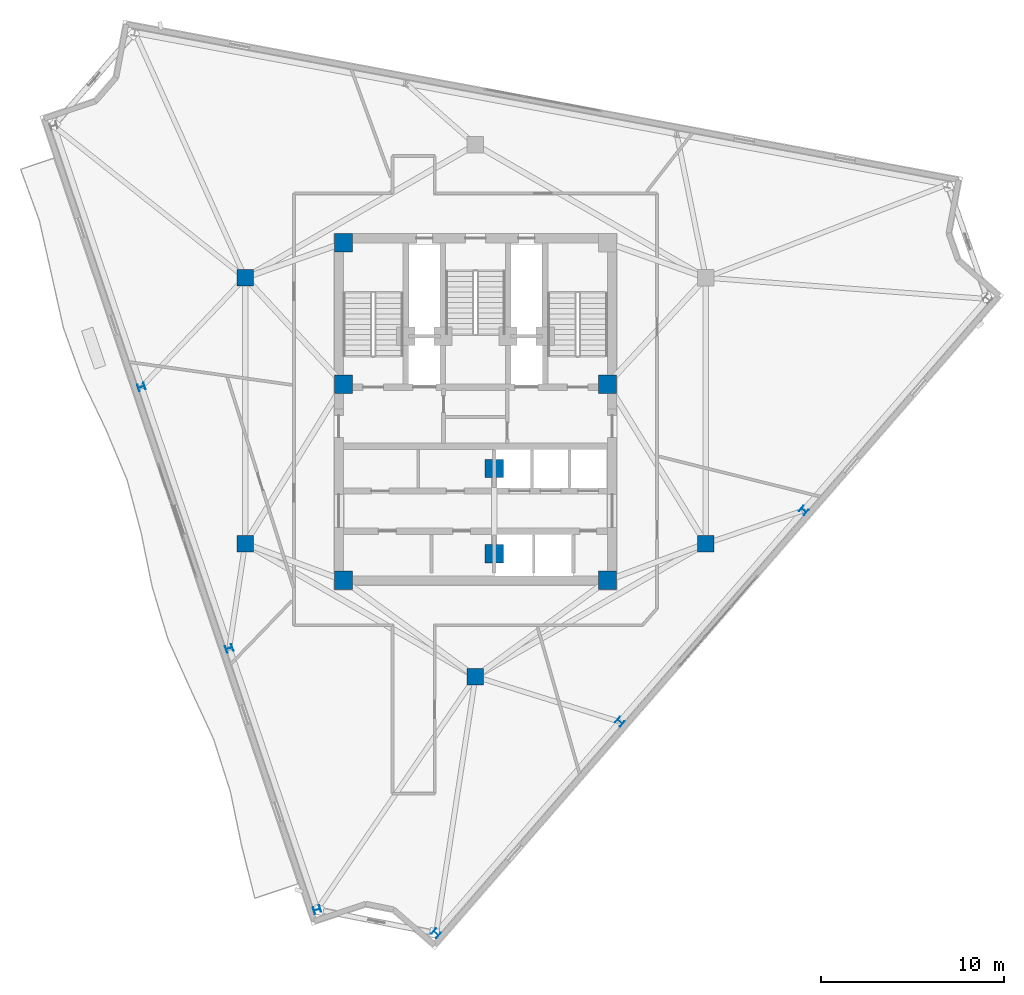
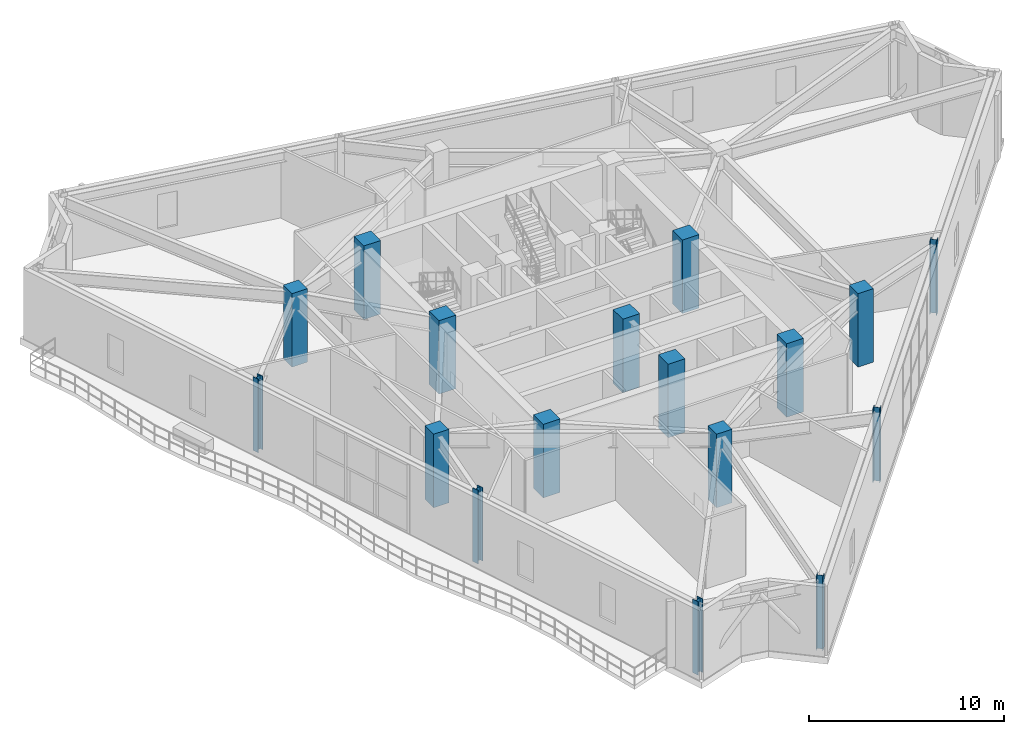
# One storey, part 1 of 15: 17 columns.
"""IFC4 building model written with IfcOpenShell, lengths in metres."""

from ifc_helpers import new_model, si_unit, direction, frame, origin, origin_2d, place, context, subcontext, project, spatial, rectangle, i_section, extrude, material, material_profile, profile_set, type_object, element, save


model = new_model("IFC4")

# Units and contexts
model_context = context("Model", 3, precision=1e-05, world=origin(), true_north=direction((0.0, 1.0)))
body_context = subcontext(model_context, "Body", "Model", "MODEL_VIEW")
ifc_project = project(units=[si_unit("LENGTHUNIT", "METRE"), si_unit("AREAUNIT", "SQUARE_METRE"), si_unit("VOLUMEUNIT", "CUBIC_METRE"), si_unit("PLANEANGLEUNIT", "RADIAN"), si_unit("MASSUNIT", "GRAM", prefix="KILO")], contexts=[model_context])

# Site, building, storey
site_placement = place(None, origin())
site = spatial("IfcSite", under=ifc_project, at=site_placement, CompositionType="ELEMENT")
building_placement = place(site_placement, origin())
building = spatial("IfcBuilding", under=site, at=building_placement, Name="Apsidion Concourse Tower", CompositionType="ELEMENT")
storey_placement = place(building_placement, frame((0.0, 0.0, 260.89990234375)))
storey = spatial("IfcBuildingStorey", under=building, at=storey_placement, Name="L61", CompositionType="ELEMENT", Elevation=260.89990234375)

# Columns
ifc_material_1 = material(Name="Concrete C50/60", Category="concrete")
ifc_material_profile_1 = material_profile(ifc_material_1, rectangle(XDim=1.0, YDim=1.0, at=origin_2d()), Name="RC 1000x1000")
ifc_profile_set_1 = profile_set([ifc_material_profile_1], Name="Concrete C50/60")
column_type_1 = type_object("IfcColumnType", Name="COL-RC-1000", PredefinedType="COLUMN", material=ifc_profile_set_1)
for number, where, z_axis, x_axis, name in (
    (1, (-7.199951171875, -9.25, 0.0), (0.0, 0.0, 1.0), (1.0, 0.0, 0.0), "L61 Core Super-Column SC1"),
    (2, (7.199951171875, -9.25, 0.0), (0.0, 0.0, 1.0), (1.0, 0.0, 0.0), "L61 Core Super-Column SC2"),
    (3, (7.199951171875, 1.449951171875, 0.0), (0.0, 0.0, 1.0), (1.0, 0.0, 0.0), "L61 Core Super-Column SC3"),
    (4, (-7.199951171875, 9.14990234375, 0.0), (0.0, 0.0, 1.0), (1.0, 0.0, 0.0), "L61 Core Super-Column SC5"),
    (5, (-7.199951171875, 1.449951171875, 0.0), (0.0, 0.0, 1.0), (1.0, 0.0, 0.0), "L61 Core Super-Column SC6"),
    (6, (1.02490234375, -3.14990234375, 0.0), (0.0, 0.0, 1.0), (1.0, 0.0, 0.0), "L61 Core Super-Column CC5"),
    (7, (1.02490234375, -7.800048828125, 0.0), (0.0, 0.0, 1.0), (1.0, 0.0, 0.0), "L61 Core Super-Column CC6"),
):
    element("IfcColumn", number, at=place(storey_placement, frame(where, z_axis=z_axis, x_axis=x_axis)), inside=storey, type_object=column_type_1, Name=name, PredefinedType="COLUMN", context=body_context, shape_type="SweptSolid", body=[
        extrude(rectangle(XDim=1.0, YDim=1.0, at=origin_2d()), origin(), (0.0, 0.0, 1.0), 4.60009765625),
    ])
ifc_material_profile_2 = material_profile(ifc_material_1, rectangle(XDim=0.89990234375, YDim=0.89990234375, at=origin_2d()), Name="RC 900x900")
ifc_profile_set_2 = profile_set([ifc_material_profile_2], Name="Concrete C50/60")
column_type_2 = type_object("IfcColumnType", Name="COL-RC-900", PredefinedType="COLUMN", material=ifc_profile_set_2)
for number, where, z_axis, x_axis, name in (
    (8, (-12.56005859375, -7.25, 0.0), (0.0, 0.0, 1.0), (1.0, 0.0, 0.0), "L61 Interior Spine Column IC1"),
    (9, (12.56005859375, -7.25, 0.0), (0.0, 0.0, 1.0), (1.0, 0.0, 0.0), "L61 Interior Spine Column IC2"),
    (10, (-12.56005859375, 7.25, 0.0), (0.0, 0.0, 1.0), (1.0, 0.0, 0.0), "L61 Interior Spine Column IC5"),
    (11, (0.0, -14.5, 0.0), (0.0, 0.0, 1.0), (1.0, 0.0, 0.0), "L61 Interior Spine Column IC6"),
):
    element("IfcColumn", number, at=place(storey_placement, frame(where, z_axis=z_axis, x_axis=x_axis)), inside=storey, type_object=column_type_2, Name=name, PredefinedType="COLUMN", context=body_context, shape_type="SweptSolid", body=[
        extrude(rectangle(XDim=0.89990234375, YDim=0.89990234375, at=origin_2d()), origin(), (0.0, 0.0, 1.0), 4.60009765625),
    ])
ifc_material_2 = material(Name="Structural steel ASTM A992 Grade 50", Category="steel")
ifc_material_profile_3 = material_profile(ifc_material_2, i_section(OverallWidth=0.373046875, OverallDepth=0.373046875, WebThickness=0.016357421875, FlangeThickness=0.026123046875, at=origin_2d()), Name="W14X132")
ifc_profile_set_3 = profile_set([ifc_material_profile_3], Name="Structural steel ASTM A992 Grade 50")
column_type_3 = type_object("IfcColumnType", Name="COL-W14-132", PredefinedType="COLUMN", material=ifc_profile_set_3)
for number, where, z_axis, x_axis, name in (
    (12, (-18.215087890625, 1.285888671875, 0.0), (0.0, 0.0, 1.0), (-0.318628456287, 0.947879690069, 0.0), "L61 Rotated Perimeter Column PC02"),
    (13, (-13.42578125, -12.959228515625, 0.0), (0.0, 0.0, 1.0), (-0.318628456287, 0.947879690069, 0.0), "L61 Rotated Perimeter Column PC03"),
    (14, (-8.636474609375, -27.20458984375, 0.0), (0.0, 0.0, 1.0), (-0.318628456287, 0.947879690069, 0.0), "L61 Rotated Perimeter Column PC04"),
    (15, (-2.146728515625, -28.490478515625, 0.0), (0.0, 0.0, 1.0), (0.656059028991, 0.754709580223, 0.0), "L61 Rotated Perimeter Column PC05"),
    (16, (7.87353515625, -16.96337890625, 0.0), (0.0, 0.0, 1.0), (0.656059028991, 0.754709580223, 0.0), "L61 Rotated Perimeter Column PC06"),
    (17, (17.89404296875, -5.436279296875, 0.0), (0.0, 0.0, 1.0), (0.656059028991, 0.754709580223, 0.0), "L61 Rotated Perimeter Column PC07"),
):
    element("IfcColumn", number, at=place(storey_placement, frame(where, z_axis=z_axis, x_axis=x_axis)), inside=storey, type_object=column_type_3, Name=name, PredefinedType="COLUMN", context=body_context, shape_type="SweptSolid", body=[
        extrude(i_section(OverallWidth=0.373046875, OverallDepth=0.373046875, WebThickness=0.016357421875, FlangeThickness=0.026123046875, at=origin_2d()), origin(), (0.0, 0.0, 1.0), 4.60009765625),
    ])

save(model, "model.ifc")
